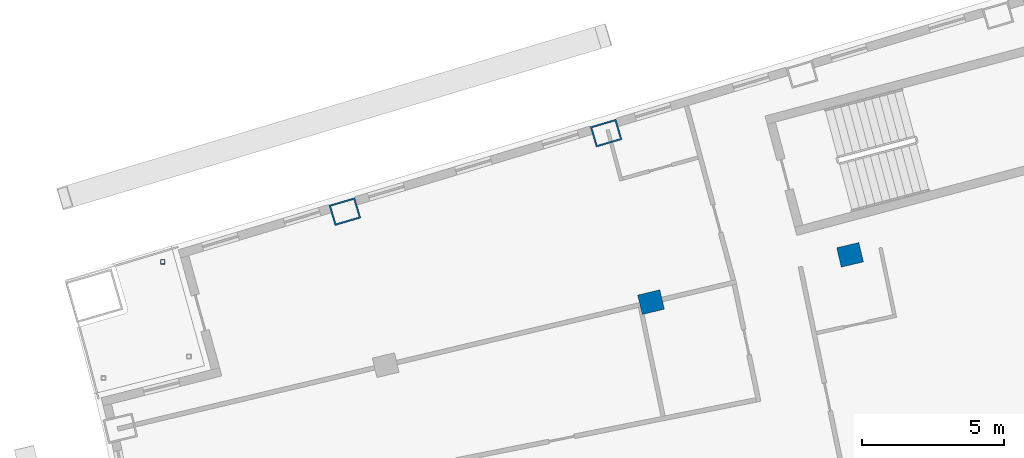
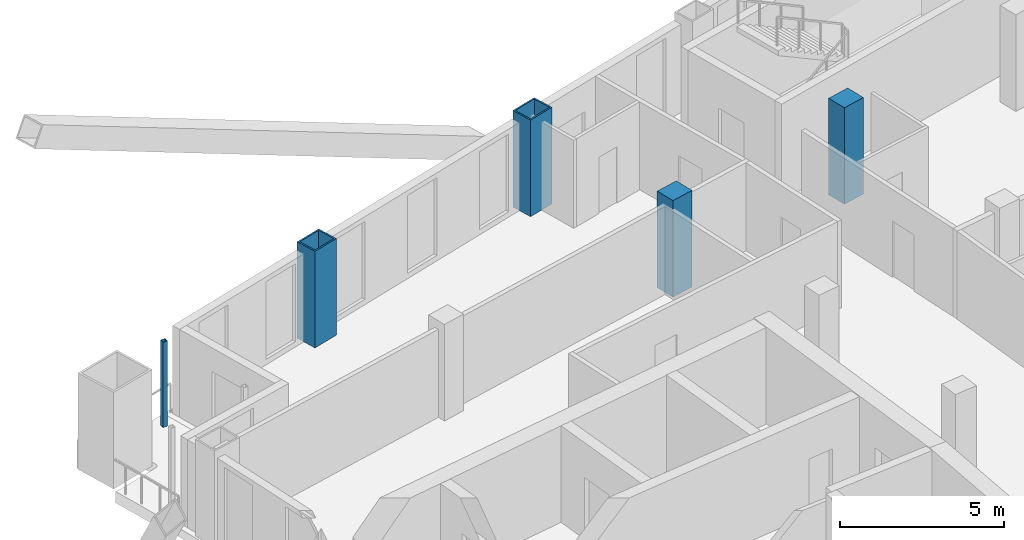
# One storey, part 7 of 19: 5 columns.
"""IFC4 building model written with IfcOpenShell, lengths in metres."""

from ifc_helpers import new_model, si_unit, direction, frame, origin, origin_2d, place, context, subcontext, project, spatial, rectangle, hollow_rectangle, extrude, material, material_profile, profile_set, type_object, element, save


model = new_model("IFC4")

# Units and contexts
model_context = context("Model", 3, precision=1e-05, world=origin(), true_north=direction((0.0, 1.0)))
body_context = subcontext(model_context, "Body", "Model", "MODEL_VIEW")
ifc_project = project(units=[si_unit("LENGTHUNIT", "METRE"), si_unit("AREAUNIT", "SQUARE_METRE"), si_unit("VOLUMEUNIT", "CUBIC_METRE"), si_unit("PLANEANGLEUNIT", "RADIAN"), si_unit("MASSUNIT", "GRAM", prefix="KILO")], contexts=[model_context])

# Site, building, storey
site_placement = place(None, origin())
site = spatial("IfcSite", under=ifc_project, at=site_placement, CompositionType="ELEMENT")
building_placement = place(site_placement, origin())
building = spatial("IfcBuilding", under=site, at=building_placement, Name="Alderwake Tower", CompositionType="ELEMENT")
storey_placement = place(building_placement, frame((0.0, 0.0, 221.60009765625)))
storey = spatial("IfcBuildingStorey", under=building, at=storey_placement, Name="L55", CompositionType="ELEMENT", Elevation=221.60009765625)

# Columns
ifc_material_1 = material(Name="Steel ASTM A572 Grade 50 concrete filled C70/85", Category="concrete")
ifc_material_profile_1 = material_profile(ifc_material_1, hollow_rectangle(XDim=0.75, YDim=0.949951171875, WallThickness=0.054931640625, at=origin_2d()), Name="BOX 950X750X55")
ifc_profile_set_1 = profile_set([ifc_material_profile_1], Name="Steel ASTM A572 Grade 50 concrete filled C70/85")
column_type_1 = type_object("IfcColumnType", Name="End column Z4", PredefinedType="COLUMN", material=ifc_profile_set_1)
for number, where, z_axis, x_axis, name in (
    (1, (21.885498046875, 90.96240234375, 0.0), (0.0, 0.0, 1.0), (-0.282132160283, 0.95937554906, 0.0), "Column R12-C1"),
    (2, (31.080322265625, 93.72314453125, 0.0), (0.0, 0.0, 1.0), (-0.282582549822, 0.959242984095, 0.0), "Column R12-C2"),
):
    element("IfcColumn", number, at=place(storey_placement, frame(where, z_axis=z_axis, x_axis=x_axis)), inside=storey, type_object=column_type_1, Name=name, PredefinedType="COLUMN", context=body_context, shape_type="SweptSolid", body=[
        extrude(hollow_rectangle(XDim=0.75, YDim=0.949951171875, WallThickness=0.054931640625, at=origin_2d()), origin(), (0.0, 0.0, 1.0), 3.599853515625),
    ])
ifc_material_2 = material(Name="Concrete C70/85", Category="concrete")
ifc_material_profile_2 = material_profile(ifc_material_2, rectangle(XDim=0.699951171875, YDim=0.800048828125, at=origin_2d()), Name="RC 800X700")
ifc_profile_set_2 = profile_set([ifc_material_profile_2], Name="Concrete C70/85")
column_type_2 = type_object("IfcColumnType", Name="Interior column Z4", PredefinedType="COLUMN", material=ifc_profile_set_2)
for number, where, z_axis, x_axis, name in (
    (3, (32.661865234375, 87.775390625, 0.0), (0.0, 0.0, 1.0), (-0.231221547198, 0.972901123502, 0.0), "Column R11-C2"),
    (4, (39.666748046875, 89.440185546875, 0.0), (0.0, 0.0, 1.0), (-0.231221547198, 0.972901123502, 0.0), "Column R11-C3"),
):
    element("IfcColumn", number, at=place(storey_placement, frame(where, z_axis=z_axis, x_axis=x_axis)), inside=storey, type_object=column_type_2, Name=name, PredefinedType="COLUMN", context=body_context, shape_type="SweptSolid", body=[
        extrude(rectangle(XDim=0.699951171875, YDim=0.800048828125, at=origin_2d()), origin(), (0.0, 0.0, 1.0), 3.599853515625),
    ])
ifc_material_3 = material(Name="Steel ASTM A500 Grade C", Category="steel")
ifc_material_profile_3 = material_profile(ifc_material_3, hollow_rectangle(XDim=0.15234375, YDim=0.15234375, WallThickness=0.0087890625, at=origin_2d()), Name="HSS6X6X3/8")
ifc_profile_set_3 = profile_set([ifc_material_profile_3], Name="Steel ASTM A500 Grade C")
column_type_3 = type_object("IfcColumnType", Name="Light post HSS6X6X3/8", PredefinedType="COLUMN", material=ifc_profile_set_3)
column_placement = place(storey_placement, frame((15.47412109375, 89.194091796875, 0.0), z_axis=(0.0, 0.0, 1.0), x_axis=(1.0, 0.0, 0.0)))
element("IfcColumn", 5, at=column_placement, inside=storey, type_object=column_type_3, Name="Terrace post RN2", PredefinedType="COLUMN", context=body_context, shape_type="SweptSolid", body=[
    extrude(hollow_rectangle(XDim=0.15234375, YDim=0.15234375, WallThickness=0.0087890625, at=origin_2d()), origin(), (0.0, 0.0, 1.0), 3.179931640625),
])

save(model, "model.ifc")
